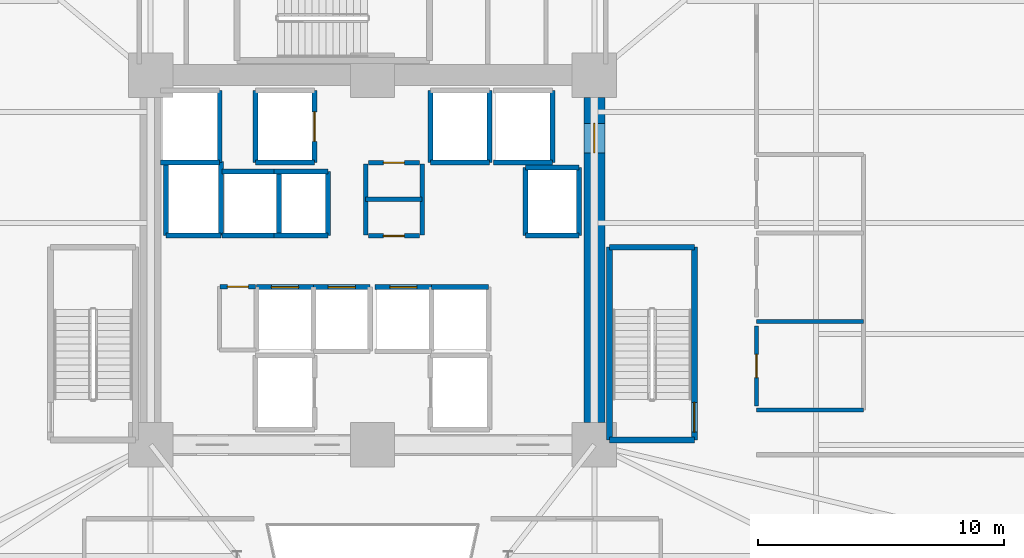
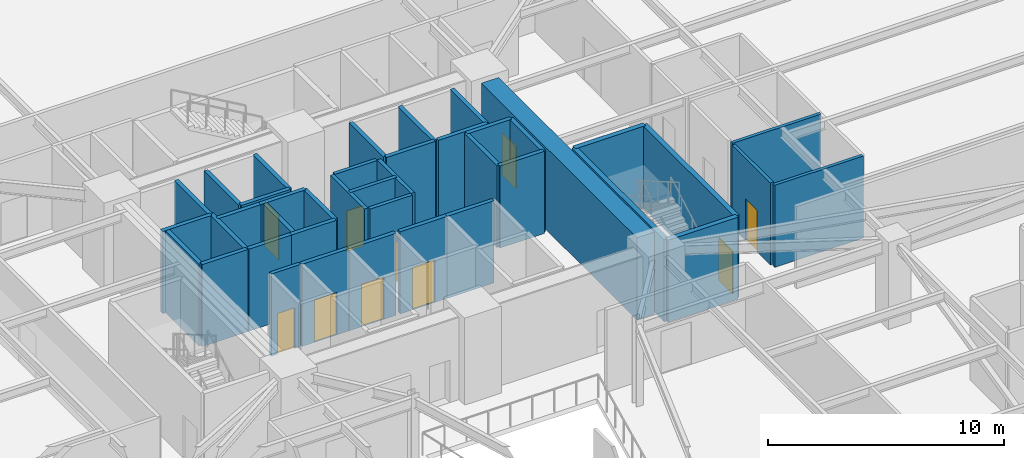
# One storey, part 7 of 16: 41 walls, 10 doors, 10 openings.
"""IFC4 building model written with IfcOpenShell, lengths in metres."""

from ifc_helpers import new_model, si_unit, direction, frame, frame_2d, origin, place, context, subcontext, project, spatial, rectangle, extrude, source, transform, mapped, material, layer, layer_set, type_object, element, fill, save


model = new_model("IFC4")

# Units and contexts
model_context = context("Model", 3, precision=1e-05, world=origin(), true_north=direction((0.0, 1.0)))
body_context = subcontext(model_context, "Body", "Model", "MODEL_VIEW")
ifc_project = project(units=[si_unit("LENGTHUNIT", "METRE"), si_unit("AREAUNIT", "SQUARE_METRE"), si_unit("VOLUMEUNIT", "CUBIC_METRE"), si_unit("PLANEANGLEUNIT", "RADIAN"), si_unit("MASSUNIT", "GRAM", prefix="KILO")], contexts=[model_context])

# Site, building, storey
site_placement = place(None, origin())
site = spatial("IfcSite", under=ifc_project, at=site_placement, CompositionType="ELEMENT")
building_placement = place(site_placement, origin())
building = spatial("IfcBuilding", under=site, at=building_placement, Name="Liaohun Quay Tower", CompositionType="ELEMENT")
storey_placement = place(building_placement, frame((0.0, 0.0, 14.39990234375)))
storey = spatial("IfcBuildingStorey", under=building, at=storey_placement, Name="L04", CompositionType="ELEMENT", Elevation=14.39990234375)

# Wall, opening, door
ifc_material_1 = material(Name="Concrete C60", Category="concrete")
ifc_layer_1 = layer(ifc_material_1, 0.85009765625, Name="Concrete C60", Category="concrete")
ifc_layer_set_1 = layer_set([ifc_layer_1], Name="Concrete C60")
wall_type_1 = type_object("IfcWallType", Name="WAL-COR-Z1", PredefinedType="SHEAR", material=ifc_layer_set_1)
wall_1_placement = place(storey_placement, frame((69.0, 60.60009765625, 0.0), z_axis=(0.0, 0.0, 1.0), x_axis=(0.0, -1.0, 0.0)))
wall_1 = element("IfcWall", 1, at=wall_1_placement, inside=storey, type_object=wall_type_1, Name="L04 Central Core Shear Wall E", PredefinedType="SHEAR", context=body_context, shape_type="SweptSolid", body=[
    extrude(rectangle(XDim=13.2001953125, YDim=0.85009765625, at=frame_2d((6.60009765625, 0.0))), origin(), (0.0, 0.0, 1.0), 4.25),
])
shared_shape_1 = source(origin(), body_context, "Body", "SweptSolid", [
    extrude(rectangle(XDim=1.199951171875, YDim=2.199951171875, at=frame_2d((0.60009765625, 1.10009765625))), frame((0.0, 0.43505859375, 0.0), z_axis=(0.0, -1.0, 0.0), x_axis=(1.0, 0.0, 0.0)), (0.0, 0.0, 1.0), 0.8701171875),
])
opening_1_placement = place(wall_1_placement, frame((1.050048828125, 0.0, 0.0)))
opening_1 = element("IfcOpeningElement", 2, at=opening_1_placement, cuts=wall_1, Name="Opening SD1", PredefinedType="OPENING", context=body_context, shape_type="MappedRepresentation", body=[
    mapped(shared_shape_1, transform((0.0, 0.0, 0.0), x_axis=(1.0, 0.0, 0.0), y_axis=(0.0, 1.0, 0.0), z_axis=(0.0, 0.0, 1.0), scale=1.0)),
])
ifc_material_2 = material(Name="Galvanised steel fire door", Category="steel")
door_type_1 = type_object("IfcDoorType", Name="DOR-STR-1200", OperationType="NOTDEFINED", PredefinedType="DOOR", material=ifc_material_2)
shared_shape_2 = source(origin(), body_context, "Body", "SweptSolid", [
    extrude(rectangle(XDim=1.199951171875, YDim=2.199951171875, at=frame_2d((0.60009765625, 1.10009765625))), frame((0.0, 0.02490234375, 0.0), z_axis=(0.0, -1.0, 0.0), x_axis=(1.0, 0.0, 0.0)), (0.0, 0.0, 1.0), 0.050048828125),
])
door_1_placement = place(opening_1_placement, origin())
door_1 = element("IfcDoor", 3, at=door_1_placement, inside=storey, type_object=door_type_1, Name="L04 North-East Core Lobby Smokeproof Door", OperationType="SINGLE_SWING_LEFT", OverallHeight=2.199951171875, OverallWidth=1.199951171875, PredefinedType="DOOR", context=body_context, shape_type="MappedRepresentation", body=[
    mapped(shared_shape_2, transform((0.0, 0.0, 0.0), x_axis=(1.0, 0.0, 0.0), y_axis=(0.0, 1.0, 0.0), z_axis=(0.0, 0.0, 1.0), scale=1.0)),
])
fill(opening_1, door_1)

ifc_material_3 = material(Name="Autoclaved aerated concrete blockwork", Category="masonry")
ifc_layer_2 = layer(ifc_material_3, 0.179931640625, Name="Autoclaved aerated concrete blockwork", Category="masonry")
ifc_layer_set_2 = layer_set([ifc_layer_2], Name="Autoclaved aerated concrete blockwork")
wall_type_2 = type_object("IfcWallType", Name="WAL-PRT-COR", PredefinedType="PARTITIONING", material=ifc_layer_set_2)
wall_2_placement = place(storey_placement, frame((59.840087890625, 54.97998046875, 0.0), z_axis=(0.0, 0.0, 1.0), x_axis=(1.0, 0.0, 0.0)))
wall_2 = element("IfcWall", 4, at=wall_2_placement, inside=storey, type_object=wall_type_2, Name="L04 Interior Partition Wall 001", PredefinedType="PARTITIONING", context=body_context, shape_type="SweptSolid", body=[
    extrude(rectangle(XDim=2.059814453125, YDim=0.179931640625, at=frame_2d((1.02978515625, 0.0))), origin(), (0.0, 0.0, 1.0), 4.25),
])
shared_shape_3 = source(origin(), body_context, "Body", "SweptSolid", [
    extrude(rectangle(XDim=0.85009765625, YDim=2.10009765625, at=frame_2d((0.425048828125, 1.050048828125))), frame((0.0, 0.099853515625, 0.0), z_axis=(0.0, -1.0, 0.0), x_axis=(1.0, 0.0, 0.0)), (0.0, 0.0, 1.0), 0.199951171875),
])
opening_2_placement = place(wall_2_placement, frame((0.60498046875, 0.0, 0.0)))
opening_2 = element("IfcOpeningElement", 5, at=opening_2_placement, cuts=wall_2, Name="Opening AD1", PredefinedType="OPENING", context=body_context, shape_type="MappedRepresentation", body=[
    mapped(shared_shape_3, transform((0.0, 0.0, 0.0), x_axis=(1.0, 0.0, 0.0), y_axis=(0.0, 1.0, 0.0), z_axis=(0.0, 0.0, 1.0), scale=1.0)),
])
ifc_material_4 = material(Name="Steel riser inspection fire door", Category="steel")
door_type_2 = type_object("IfcDoorType", Name="DOR-SHF-850", OperationType="NOTDEFINED", PredefinedType="DOOR", material=ifc_material_4)
shared_shape_4 = source(origin(), body_context, "Body", "SweptSolid", [
    extrude(rectangle(XDim=0.85009765625, YDim=2.10009765625, at=frame_2d((0.425048828125, 1.050048828125))), frame((0.0, 0.02490234375, 0.0), z_axis=(0.0, -1.0, 0.0), x_axis=(1.0, 0.0, 0.0)), (0.0, 0.0, 1.0), 0.050048828125),
])
door_2_placement = place(opening_2_placement, origin())
door_2 = element("IfcDoor", 6, at=door_2_placement, inside=storey, type_object=door_type_2, Name="L04 Electrical Riser Room Door", OperationType="SINGLE_SWING_RIGHT", OverallHeight=2.10009765625, OverallWidth=0.85009765625, PredefinedType="DOOR", context=body_context, shape_type="MappedRepresentation", body=[
    mapped(shared_shape_4, transform((0.0, 0.0, 0.0), x_axis=(1.0, 0.0, 0.0), y_axis=(0.0, 1.0, 0.0), z_axis=(0.0, 0.0, 1.0), scale=1.0)),
])
fill(opening_2, door_2)

wall_3_placement = place(storey_placement, frame((59.840087890625, 57.949951171875, 0.0), z_axis=(0.0, 0.0, 1.0), x_axis=(1.0, 0.0, 0.0)))
wall_3 = element("IfcWall", 7, at=wall_3_placement, inside=storey, type_object=wall_type_2, Name="L04 Interior Partition Wall 002", PredefinedType="PARTITIONING", context=body_context, shape_type="SweptSolid", body=[
    extrude(rectangle(XDim=2.059814453125, YDim=0.179931640625, at=frame_2d((1.02978515625, 0.0))), origin(), (0.0, 0.0, 1.0), 4.25),
])
opening_3_placement = place(wall_3_placement, frame((0.60498046875, 0.0, 0.0)))
opening_3 = element("IfcOpeningElement", 8, at=opening_3_placement, cuts=wall_3, Name="Opening AD1", PredefinedType="OPENING", context=body_context, shape_type="MappedRepresentation", body=[
    mapped(shared_shape_3, transform((0.0, 0.0, 0.0), x_axis=(1.0, 0.0, 0.0), y_axis=(0.0, 1.0, 0.0), z_axis=(0.0, 0.0, 1.0), scale=1.0)),
])
door_3_placement = place(opening_3_placement, origin())
door_3 = element("IfcDoor", 9, at=door_3_placement, inside=storey, type_object=door_type_2, Name="L04 Telecom Comms Closet Door", OperationType="SINGLE_SWING_LEFT", OverallHeight=2.10009765625, OverallWidth=0.85009765625, PredefinedType="DOOR", context=body_context, shape_type="MappedRepresentation", body=[
    mapped(shared_shape_4, transform((0.0, 0.0, 0.0), x_axis=(1.0, 0.0, 0.0), y_axis=(0.0, 1.0, 0.0), z_axis=(0.0, 0.0, 1.0), scale=1.0)),
])
fill(opening_3, door_3)

wall_4_placement = place(storey_placement, frame((53.820068359375, 52.919921875, 0.0), z_axis=(0.0, 0.0, 1.0), x_axis=(1.0, 0.0, 0.0)))
wall_4 = element("IfcWall", 10, at=wall_4_placement, inside=storey, type_object=wall_type_2, Name="L04 Interior Partition Wall 003", PredefinedType="PARTITIONING", context=body_context, shape_type="SweptSolid", body=[
    extrude(rectangle(XDim=1.429931640625, YDim=0.179931640625, at=frame_2d((0.71484375, 0.0))), origin(), (0.0, 0.0, 1.0), 4.25),
])
opening_4_placement = place(wall_4_placement, frame((0.2900390625, 0.0, 0.0)))
opening_4 = element("IfcOpeningElement", 11, at=opening_4_placement, cuts=wall_4, Name="Opening AD1", PredefinedType="OPENING", context=body_context, shape_type="MappedRepresentation", body=[
    mapped(shared_shape_3, transform((0.0, 0.0, 0.0), x_axis=(1.0, 0.0, 0.0), y_axis=(0.0, 1.0, 0.0), z_axis=(0.0, 0.0, 1.0), scale=1.0)),
])
door_4_placement = place(opening_4_placement, origin())
door_4 = element("IfcDoor", 12, at=door_4_placement, inside=storey, type_object=door_type_2, Name="L04 Core Fire Hose and Riser Closet Door", OperationType="SINGLE_SWING_RIGHT", OverallHeight=2.10009765625, OverallWidth=0.85009765625, PredefinedType="DOOR", context=body_context, shape_type="MappedRepresentation", body=[
    mapped(shared_shape_4, transform((0.0, 0.0, 0.0), x_axis=(1.0, 0.0, 0.0), y_axis=(0.0, 1.0, 0.0), z_axis=(0.0, 0.0, 1.0), scale=1.0)),
])
fill(opening_4, door_4)

# Walls
for number, where, z_axis, x_axis, name in (
    (13, (59.719970703125, 55.02001953125, 0.0), (0.0, 0.0, 1.0), (0.0, 1.0, 0.0), "L04 Interior Partition Wall 021"),
    (14, (62.010009765625, 55.02001953125, 0.0), (0.0, 0.0, 1.0), (0.0, 1.0, 0.0), "L04 Interior Partition Wall 022"),
):
    element("IfcWall", number, at=place(storey_placement, frame(where, z_axis=z_axis, x_axis=x_axis)), inside=storey, type_object=wall_type_2, Name=name, PredefinedType="PARTITIONING", context=body_context, shape_type="SweptSolid", body=[
        extrude(rectangle(XDim=2.8798828125, YDim=0.179931640625, at=frame_2d((1.43994140625, 0.0))), origin(), (0.0, 0.0, 1.0), 4.25),
    ])
wall_5_placement = place(storey_placement, frame((59.719970703125, 56.4599609375, 0.0), z_axis=(0.0, 0.0, 1.0), x_axis=(1.0, 0.0, 0.0)))
element("IfcWall", 15, at=wall_5_placement, inside=storey, type_object=wall_type_2, Name="L04 Interior Partition Wall 023", PredefinedType="PARTITIONING", context=body_context, shape_type="SweptSolid", body=[
    extrude(rectangle(XDim=2.2900390625, YDim=0.179931640625, at=frame_2d((1.14501953125, 0.0))), origin(), (0.0, 0.0, 1.0), 4.25),
])

# Wall, opening, door
ifc_material_5 = material(Name="Moisture-resistant masonry blockwork", Category="masonry")
ifc_layer_3 = layer(ifc_material_5, 0.159912109375, Name="Moisture-resistant masonry blockwork", Category="masonry")
ifc_layer_set_3 = layer_set([ifc_layer_3], Name="Moisture-resistant masonry blockwork")
wall_type_3 = type_object("IfcWallType", Name="WAL-PRT-WET", PredefinedType="PARTITIONING", material=ifc_layer_set_3)
wall_6_placement = place(storey_placement, frame((75.580078125, 48.080078125, 0.0), z_axis=(0.0, 0.0, 1.0), x_axis=(0.0, 1.0, 0.0)))
wall_6 = element("IfcWall", 16, at=wall_6_placement, inside=storey, type_object=wall_type_3, Name="L04 Interior Partition Wall 004", PredefinedType="PARTITIONING", context=body_context, shape_type="SweptSolid", body=[
    extrude(rectangle(XDim=3.239990234375, YDim=0.159912109375, at=frame_2d((1.6201171875, 0.0))), origin(), (0.0, 0.0, 1.0), 4.25),
])
shared_shape_5 = source(origin(), body_context, "Body", "SweptSolid", [
    extrude(rectangle(XDim=0.949951171875, YDim=2.14990234375, at=frame_2d((0.47509765625, 1.074951171875))), frame((0.0, 0.08984375, 0.0), z_axis=(0.0, -1.0, 0.0), x_axis=(1.0, 0.0, 0.0)), (0.0, 0.0, 1.0), 0.179931640625),
])
opening_5_placement = place(wall_6_placement, frame((1.14501953125, 0.0, 0.0)))
opening_5 = element("IfcOpeningElement", 17, at=opening_5_placement, cuts=wall_6, Name="Opening WD1", PredefinedType="OPENING", context=body_context, shape_type="MappedRepresentation", body=[
    mapped(shared_shape_5, transform((0.0, 0.0, 0.0), x_axis=(1.0, 0.0, 0.0), y_axis=(0.0, 1.0, 0.0), z_axis=(0.0, 0.0, 1.0), scale=1.0)),
])
ifc_material_6 = material(Name="Moisture-resistant laminate timber leaf", Category="wood")
door_type_3 = type_object("IfcDoorType", Name="DOR-WC-950", OperationType="NOTDEFINED", PredefinedType="DOOR", material=ifc_material_6)
shared_shape_6 = source(origin(), body_context, "Body", "SweptSolid", [
    extrude(rectangle(XDim=0.949951171875, YDim=2.14990234375, at=frame_2d((0.47509765625, 1.074951171875))), frame((0.0, 0.02490234375, 0.0), z_axis=(0.0, -1.0, 0.0), x_axis=(1.0, 0.0, 0.0)), (0.0, 0.0, 1.0), 0.050048828125),
])
door_5_placement = place(opening_5_placement, origin())
door_5 = element("IfcDoor", 18, at=door_5_placement, inside=storey, type_object=door_type_3, Name="L04 Podium Male Restroom WC Door", OperationType="SINGLE_SWING_LEFT", OverallHeight=2.14990234375, OverallWidth=0.949951171875, PredefinedType="DOOR", context=body_context, shape_type="MappedRepresentation", body=[
    mapped(shared_shape_6, transform((0.0, 0.0, 0.0), x_axis=(1.0, 0.0, 0.0), y_axis=(0.0, 1.0, 0.0), z_axis=(0.0, 0.0, 1.0), scale=1.0)),
])
fill(opening_5, door_5)

# Walls
for number, where, z_axis, x_axis, name in (
    (19, (75.580078125, 47.919921875, 0.0), (0.0, 0.0, 1.0), (1.0, 0.0, 0.0), "L04 Interior Partition Wall 027"),
    (20, (75.580078125, 51.5, 0.0), (0.0, 0.0, 1.0), (1.0, 0.0, 0.0), "L04 Interior Partition Wall 028"),
):
    element("IfcWall", number, at=place(storey_placement, frame(where, z_axis=z_axis, x_axis=x_axis)), inside=storey, type_object=wall_type_3, Name=name, PredefinedType="PARTITIONING", context=body_context, shape_type="SweptSolid", body=[
        extrude(rectangle(XDim=4.33984375, YDim=0.159912109375, at=frame_2d((2.169921875, 0.0))), origin(), (0.0, 0.0, 1.0), 4.25),
    ])
ifc_material_7 = material(Name="Concrete C50", Category="concrete")
ifc_layer_4 = layer(ifc_material_7, 0.239990234375, Name="Concrete C50", Category="concrete")
ifc_layer_set_4 = layer_set([ifc_layer_4], Name="Concrete C50")
wall_type_4 = type_object("IfcWallType", Name="WAL-SHF-200", PredefinedType="SOLIDWALL", material=ifc_layer_set_4)
wall_7_placement = place(storey_placement, frame((69.6201171875, 46.699951171875, 0.0), z_axis=(0.0, 0.0, 1.0), x_axis=(1.0, 0.0, 0.0)))
element("IfcWall", 21, at=wall_7_placement, inside=storey, type_object=wall_type_4, Name="L04 Stairwell ST-2 Structural Core Wall S", PredefinedType="SOLIDWALL", context=body_context, shape_type="SweptSolid", body=[
    extrude(rectangle(XDim=3.43994140625, YDim=0.239990234375, at=frame_2d((1.719970703125, 0.0))), origin(), (0.0, 0.0, 1.0), 4.25),
])

# Wall, opening, door
wall_8_placement = place(storey_placement, frame((73.06005859375, 46.699951171875, 0.0), z_axis=(0.0, 0.0, 1.0), x_axis=(0.0, 1.0, 0.0)))
wall_8 = element("IfcWall", 22, at=wall_8_placement, inside=storey, type_object=wall_type_4, Name="L04 Stairwell ST-2 Structural Core Wall E", PredefinedType="SOLIDWALL", context=body_context, shape_type="SweptSolid", body=[
    extrude(rectangle(XDim=7.820068359375, YDim=0.239990234375, at=frame_2d((3.91015625, 0.0))), origin(), (0.0, 0.0, 1.0), 4.25),
])
shared_shape_7 = source(origin(), body_context, "Body", "SweptSolid", [
    extrude(rectangle(XDim=1.199951171875, YDim=2.199951171875, at=frame_2d((0.60009765625, 1.10009765625))), frame((0.0, 0.1298828125, 0.0), z_axis=(0.0, -1.0, 0.0), x_axis=(1.0, 0.0, 0.0)), (0.0, 0.0, 1.0), 0.260009765625),
])
opening_6_placement = place(wall_8_placement, frame((0.320068359375, 0.0, 0.0)))
opening_6 = element("IfcOpeningElement", 23, at=opening_6_placement, cuts=wall_8, Name="Opening SD1", PredefinedType="OPENING", context=body_context, shape_type="MappedRepresentation", body=[
    mapped(shared_shape_7, transform((0.0, 0.0, 0.0), x_axis=(1.0, 0.0, 0.0), y_axis=(0.0, 1.0, 0.0), z_axis=(0.0, 0.0, 1.0), scale=1.0)),
])
door_6_placement = place(opening_6_placement, origin())
door_6 = element("IfcDoor", 24, at=door_6_placement, inside=storey, type_object=door_type_1, Name="L04 Protected Stair ST-2 Fire Door", OperationType="SINGLE_SWING_RIGHT", OverallHeight=2.199951171875, OverallWidth=1.199951171875, PredefinedType="DOOR", context=body_context, shape_type="MappedRepresentation", body=[
    mapped(shared_shape_2, transform((0.0, 0.0, 0.0), x_axis=(1.0, 0.0, 0.0), y_axis=(0.0, 1.0, 0.0), z_axis=(0.0, 0.0, 1.0), scale=1.0)),
])
fill(opening_6, door_6)

# Walls
wall_9_placement = place(storey_placement, frame((73.06005859375, 54.52001953125, 0.0), z_axis=(0.0, 0.0, 1.0), x_axis=(-1.0, 0.0, 0.0)))
element("IfcWall", 25, at=wall_9_placement, inside=storey, type_object=wall_type_4, Name="L04 Stairwell ST-2 Structural Core Wall N", PredefinedType="SOLIDWALL", context=body_context, shape_type="SweptSolid", body=[
    extrude(rectangle(XDim=3.43994140625, YDim=0.239990234375, at=frame_2d((1.719970703125, 0.0))), origin(), (0.0, 0.0, 1.0), 4.25),
])
wall_10_placement = place(storey_placement, frame((69.6201171875, 54.52001953125, 0.0), z_axis=(0.0, 0.0, 1.0), x_axis=(0.0, -1.0, 0.0)))
element("IfcWall", 26, at=wall_10_placement, inside=storey, type_object=wall_type_4, Name="L04 Stairwell ST-2 Structural Core Wall W", PredefinedType="SOLIDWALL", context=body_context, shape_type="SweptSolid", body=[
    extrude(rectangle(XDim=7.820068359375, YDim=0.239990234375, at=frame_2d((3.91015625, 0.0))), origin(), (0.0, 0.0, 1.0), 4.25),
])
wall_11_placement = place(storey_placement, frame((55.25, 57.949951171875, 0.0), z_axis=(0.0, 0.0, 1.0), x_axis=(1.0, 0.0, 0.0)))
element("IfcWall", 27, at=wall_11_placement, inside=storey, type_object=wall_type_4, Name="L04 Lift FF-03 Hoistway Wall S", PredefinedType="SOLIDWALL", context=body_context, shape_type="SweptSolid", body=[
    extrude(rectangle(XDim=2.39990234375, YDim=0.199951171875, at=frame_2d((1.199951171875, 0.0))), origin(), (0.0, 0.0, 1.0), 4.25),
])

# Wall, opening, door
wall_12_placement = place(storey_placement, frame((57.64990234375, 57.949951171875, 0.0), z_axis=(0.0, 0.0, 1.0), x_axis=(0.0, 1.0, 0.0)))
wall_12 = element("IfcWall", 28, at=wall_12_placement, inside=storey, type_object=wall_type_4, Name="L04 Lift FF-03 Hoistway Wall E", PredefinedType="SOLIDWALL", context=body_context, shape_type="SweptSolid", body=[
    extrude(rectangle(XDim=2.929931640625, YDim=0.199951171875, at=frame_2d((1.46484375, 0.0))), origin(), (0.0, 0.0, 1.0), 4.25),
])
shared_shape_8 = source(origin(), body_context, "Body", "SweptSolid", [
    extrude(rectangle(XDim=1.199951171875, YDim=2.300048828125, at=frame_2d((0.60009765625, 1.14990234375))), frame((0.0, 0.10986328125, 0.0), z_axis=(0.0, -1.0, 0.0), x_axis=(1.0, 0.0, 0.0)), (0.0, 0.0, 1.0), 0.219970703125),
])
opening_7_placement = place(wall_12_placement, frame((0.864990234375, 0.0, 0.0)))
opening_7 = element("IfcOpeningElement", 29, at=opening_7_placement, cuts=wall_12, Name="Opening LD2", PredefinedType="OPENING", context=body_context, shape_type="MappedRepresentation", body=[
    mapped(shared_shape_8, transform((0.0, 0.0, 0.0), x_axis=(1.0, 0.0, 0.0), y_axis=(0.0, 1.0, 0.0), z_axis=(0.0, 0.0, 1.0), scale=1.0)),
])
ifc_material_8 = material(Name="Brushed stainless steel stretcher landing door", Category="steel")
door_type_4 = type_object("IfcDoorType", Name="DOR-LFT-1200", OperationType="SLIDING_TO_LEFT", PredefinedType="DOOR", material=ifc_material_8)
shared_shape_9 = source(origin(), body_context, "Body", "SweptSolid", [
    extrude(rectangle(XDim=1.199951171875, YDim=2.300048828125, at=frame_2d((0.60009765625, 1.14990234375))), frame((0.0, 0.02490234375, 0.0), z_axis=(0.0, -1.0, 0.0), x_axis=(1.0, 0.0, 0.0)), (0.0, 0.0, 1.0), 0.050048828125),
])
door_7_placement = place(opening_7_placement, origin())
door_7 = element("IfcDoor", 30, at=door_7_placement, inside=storey, type_object=door_type_4, Name="L04 Lift FF-03 Sliding Landing Door", OperationType="SLIDING_TO_LEFT", OverallHeight=2.300048828125, OverallWidth=1.199951171875, PredefinedType="DOOR", context=body_context, shape_type="MappedRepresentation", body=[
    mapped(shared_shape_9, transform((0.0, 0.0, 0.0), x_axis=(1.0, 0.0, 0.0), y_axis=(0.0, 1.0, 0.0), z_axis=(0.0, 0.0, 1.0), scale=1.0)),
])
fill(opening_7, door_7)

# Walls
wall_13_placement = place(storey_placement, frame((55.25, 60.8798828125, 0.0), z_axis=(0.0, 0.0, 1.0), x_axis=(0.0, -1.0, 0.0)))
element("IfcWall", 31, at=wall_13_placement, inside=storey, type_object=wall_type_4, Name="L04 Lift FF-03 Hoistway Wall W", PredefinedType="SOLIDWALL", context=body_context, shape_type="SweptSolid", body=[
    extrude(rectangle(XDim=2.929931640625, YDim=0.199951171875, at=frame_2d((1.46484375, 0.0))), origin(), (0.0, 0.0, 1.0), 4.25),
])
wall_14_placement = place(storey_placement, frame((62.35009765625, 57.949951171875, 0.0), z_axis=(0.0, 0.0, 1.0), x_axis=(1.0, 0.0, 0.0)))
element("IfcWall", 32, at=wall_14_placement, inside=storey, type_object=wall_type_4, Name="L04 Lift OB-01 Hoistway Wall S", PredefinedType="SOLIDWALL", context=body_context, shape_type="SweptSolid", body=[
    extrude(rectangle(XDim=2.39990234375, YDim=0.199951171875, at=frame_2d((1.199951171875, 0.0))), origin(), (0.0, 0.0, 1.0), 4.25),
])
for number, where, z_axis, x_axis, name in (
    (33, (64.75, 57.949951171875, 0.0), (0.0, 0.0, 1.0), (0.0, 1.0, 0.0), "L04 Lift OB-01 Hoistway Wall E"),
    (34, (62.35009765625, 60.8798828125, 0.0), (0.0, 0.0, 1.0), (0.0, -1.0, 0.0), "L04 Lift OB-01 Hoistway Wall W"),
):
    element("IfcWall", number, at=place(storey_placement, frame(where, z_axis=z_axis, x_axis=x_axis)), inside=storey, type_object=wall_type_4, Name=name, PredefinedType="SOLIDWALL", context=body_context, shape_type="SweptSolid", body=[
        extrude(rectangle(XDim=2.929931640625, YDim=0.199951171875, at=frame_2d((1.46484375, 0.0))), origin(), (0.0, 0.0, 1.0), 4.25),
    ])
wall_15_placement = place(storey_placement, frame((64.89990234375, 57.949951171875, 0.0), z_axis=(0.0, 0.0, 1.0), x_axis=(1.0, 0.0, 0.0)))
element("IfcWall", 35, at=wall_15_placement, inside=storey, type_object=wall_type_4, Name="L04 Lift OB-02 Hoistway Wall S", PredefinedType="SOLIDWALL", context=body_context, shape_type="SweptSolid", body=[
    extrude(rectangle(XDim=2.400146484375, YDim=0.199951171875, at=frame_2d((1.2001953125, 0.0))), origin(), (0.0, 0.0, 1.0), 4.25),
])
wall_16_placement = place(storey_placement, frame((67.300048828125, 57.949951171875, 0.0), z_axis=(0.0, 0.0, 1.0), x_axis=(0.0, 1.0, 0.0)))
element("IfcWall", 36, at=wall_16_placement, inside=storey, type_object=wall_type_4, Name="L04 Lift OB-02 Hoistway Wall E", PredefinedType="SOLIDWALL", context=body_context, shape_type="SweptSolid", body=[
    extrude(rectangle(XDim=2.929931640625, YDim=0.199951171875, at=frame_2d((1.46484375, 0.0))), origin(), (0.0, 0.0, 1.0), 4.25),
])
wall_17_placement = place(storey_placement, frame((51.39990234375, 57.949951171875, 0.0), z_axis=(0.0, 0.0, 1.0), x_axis=(1.0, 0.0, 0.0)))
element("IfcWall", 37, at=wall_17_placement, inside=storey, type_object=wall_type_4, Name="L04 Lift SH-01 Hoistway Wall S", PredefinedType="SOLIDWALL", context=body_context, shape_type="SweptSolid", body=[
    extrude(rectangle(XDim=2.400146484375, YDim=0.199951171875, at=frame_2d((1.2001953125, 0.0))), origin(), (0.0, 0.0, 1.0), 4.25),
])
wall_18_placement = place(storey_placement, frame((53.800048828125, 57.949951171875, 0.0), z_axis=(0.0, 0.0, 1.0), x_axis=(0.0, 1.0, 0.0)))
element("IfcWall", 38, at=wall_18_placement, inside=storey, type_object=wall_type_4, Name="L04 Lift SH-01 Hoistway Wall E", PredefinedType="SOLIDWALL", context=body_context, shape_type="SweptSolid", body=[
    extrude(rectangle(XDim=2.929931640625, YDim=0.199951171875, at=frame_2d((1.46484375, 0.0))), origin(), (0.0, 0.0, 1.0), 4.25),
])
wall_19_placement = place(storey_placement, frame((51.6201171875, 55.0, 0.0), z_axis=(0.0, 0.0, 1.0), x_axis=(1.0, 0.0, 0.0)))
element("IfcWall", 39, at=wall_19_placement, inside=storey, type_object=wall_type_4, Name="L04 Lift SH-02 Hoistway Wall S", PredefinedType="SOLIDWALL", context=body_context, shape_type="SweptSolid", body=[
    extrude(rectangle(XDim=2.22998046875, YDim=0.199951171875, at=frame_2d((1.114990234375, 0.0))), origin(), (0.0, 0.0, 1.0), 4.25),
])
for number, where, z_axis, x_axis, name in (
    (40, (53.85009765625, 55.0, 0.0), (0.0, 0.0, 1.0), (0.0, 1.0, 0.0), "L04 Lift SH-02 Hoistway Wall E"),
    (41, (51.6201171875, 58.0, 0.0), (0.0, 0.0, 1.0), (0.0, -1.0, 0.0), "L04 Lift SH-02 Hoistway Wall W"),
):
    element("IfcWall", number, at=place(storey_placement, frame(where, z_axis=z_axis, x_axis=x_axis)), inside=storey, type_object=wall_type_4, Name=name, PredefinedType="SOLIDWALL", context=body_context, shape_type="SweptSolid", body=[
        extrude(rectangle(XDim=3.0, YDim=0.199951171875, at=frame_2d((1.5, 0.0))), origin(), (0.0, 0.0, 1.0), 4.25),
    ])
wall_20_placement = place(storey_placement, frame((66.199951171875, 55.0, 0.0), z_axis=(0.0, 0.0, 1.0), x_axis=(1.0, 0.0, 0.0)))
element("IfcWall", 42, at=wall_20_placement, inside=storey, type_object=wall_type_4, Name="L04 Lift SH-03 Hoistway Wall S", PredefinedType="SOLIDWALL", context=body_context, shape_type="SweptSolid", body=[
    extrude(rectangle(XDim=2.179931640625, YDim=0.199951171875, at=frame_2d((1.08984375, 0.0))), origin(), (0.0, 0.0, 1.0), 4.25),
])
wall_21_placement = place(storey_placement, frame((68.3798828125, 55.0, 0.0), z_axis=(0.0, 0.0, 1.0), x_axis=(0.0, 1.0, 0.0)))
element("IfcWall", 43, at=wall_21_placement, inside=storey, type_object=wall_type_4, Name="L04 Lift SH-03 Hoistway Wall E", PredefinedType="SOLIDWALL", context=body_context, shape_type="SweptSolid", body=[
    extrude(rectangle(XDim=2.75, YDim=0.199951171875, at=frame_2d((1.375, 0.0))), origin(), (0.0, 0.0, 1.0), 4.25),
])
wall_22_placement = place(storey_placement, frame((68.3798828125, 57.75, 0.0), z_axis=(0.0, 0.0, 1.0), x_axis=(-1.0, 0.0, 0.0)))
element("IfcWall", 44, at=wall_22_placement, inside=storey, type_object=wall_type_4, Name="L04 Lift SH-03 Hoistway Wall N", PredefinedType="SOLIDWALL", context=body_context, shape_type="SweptSolid", body=[
    extrude(rectangle(XDim=2.179931640625, YDim=0.199951171875, at=frame_2d((1.08984375, 0.0))), origin(), (0.0, 0.0, 1.0), 4.25),
])
wall_23_placement = place(storey_placement, frame((66.199951171875, 57.75, 0.0), z_axis=(0.0, 0.0, 1.0), x_axis=(0.0, -1.0, 0.0)))
element("IfcWall", 45, at=wall_23_placement, inside=storey, type_object=wall_type_4, Name="L04 Lift SH-03 Hoistway Wall W", PredefinedType="SOLIDWALL", context=body_context, shape_type="SweptSolid", body=[
    extrude(rectangle(XDim=2.75, YDim=0.199951171875, at=frame_2d((1.375, 0.0))), origin(), (0.0, 0.0, 1.0), 4.25),
])

# Wall, opening, door
wall_24_placement = place(storey_placement, frame((57.60009765625, 52.89990234375, 0.0), z_axis=(0.0, 0.0, 1.0), x_axis=(-1.0, 0.0, 0.0)))
wall_24 = element("IfcWall", 46, at=wall_24_placement, inside=storey, type_object=wall_type_4, Name="L04 Lift PL-1A Hoistway Wall N", PredefinedType="SOLIDWALL", context=body_context, shape_type="SweptSolid", body=[
    extrude(rectangle(XDim=2.300048828125, YDim=0.199951171875, at=frame_2d((1.14990234375, 0.0))), origin(), (0.0, 0.0, 1.0), 4.25),
])
shared_shape_10 = source(origin(), body_context, "Body", "SweptSolid", [
    extrude(rectangle(XDim=1.10009765625, YDim=2.199951171875, at=frame_2d((0.550048828125, 1.10009765625))), frame((0.0, 0.10986328125, 0.0), z_axis=(0.0, -1.0, 0.0), x_axis=(1.0, 0.0, 0.0)), (0.0, 0.0, 1.0), 0.219970703125),
])
opening_8_placement = place(wall_24_placement, frame((0.60009765625, 0.0, 0.0)))
opening_8 = element("IfcOpeningElement", 47, at=opening_8_placement, cuts=wall_24, Name="Opening LD1", PredefinedType="OPENING", context=body_context, shape_type="MappedRepresentation", body=[
    mapped(shared_shape_10, transform((0.0, 0.0, 0.0), x_axis=(1.0, 0.0, 0.0), y_axis=(0.0, 1.0, 0.0), z_axis=(0.0, 0.0, 1.0), scale=1.0)),
])
ifc_material_9 = material(Name="Brushed stainless steel landing door", Category="steel")
door_type_5 = type_object("IfcDoorType", Name="DOR-LFT-1100", OperationType="SLIDING_TO_LEFT", PredefinedType="DOOR", material=ifc_material_9)
shared_shape_11 = source(origin(), body_context, "Body", "SweptSolid", [
    extrude(rectangle(XDim=1.10009765625, YDim=2.199951171875, at=frame_2d((0.550048828125, 1.10009765625))), frame((0.0, 0.02490234375, 0.0), z_axis=(0.0, -1.0, 0.0), x_axis=(1.0, 0.0, 0.0)), (0.0, 0.0, 1.0), 0.050048828125),
])
door_8_placement = place(opening_8_placement, origin())
door_8 = element("IfcDoor", 48, at=door_8_placement, inside=storey, type_object=door_type_5, Name="L04 Lift PL-1A Sliding Landing Door", OperationType="SLIDING_TO_LEFT", OverallHeight=2.199951171875, OverallWidth=1.10009765625, PredefinedType="DOOR", context=body_context, shape_type="MappedRepresentation", body=[
    mapped(shared_shape_11, transform((0.0, 0.0, 0.0), x_axis=(1.0, 0.0, 0.0), y_axis=(0.0, 1.0, 0.0), z_axis=(0.0, 0.0, 1.0), scale=1.0)),
])
fill(opening_8, door_8)

wall_25_placement = place(storey_placement, frame((59.89990234375, 52.89990234375, 0.0), z_axis=(0.0, 0.0, 1.0), x_axis=(-1.0, 0.0, 0.0)))
wall_25 = element("IfcWall", 49, at=wall_25_placement, inside=storey, type_object=wall_type_4, Name="L04 Lift PL-1B Hoistway Wall N", PredefinedType="SOLIDWALL", context=body_context, shape_type="SweptSolid", body=[
    extrude(rectangle(XDim=2.2998046875, YDim=0.199951171875, at=frame_2d((1.14990234375, 0.0))), origin(), (0.0, 0.0, 1.0), 4.25),
])
opening_9_placement = place(wall_25_placement, frame((0.60009765625, 0.0, 0.0)))
opening_9 = element("IfcOpeningElement", 50, at=opening_9_placement, cuts=wall_25, Name="Opening LD1", PredefinedType="OPENING", context=body_context, shape_type="MappedRepresentation", body=[
    mapped(shared_shape_10, transform((0.0, 0.0, 0.0), x_axis=(1.0, 0.0, 0.0), y_axis=(0.0, 1.0, 0.0), z_axis=(0.0, 0.0, 1.0), scale=1.0)),
])
door_9_placement = place(opening_9_placement, origin())
door_9 = element("IfcDoor", 51, at=door_9_placement, inside=storey, type_object=door_type_5, Name="L04 Lift PL-1B Sliding Landing Door", OperationType="SLIDING_TO_LEFT", OverallHeight=2.199951171875, OverallWidth=1.10009765625, PredefinedType="DOOR", context=body_context, shape_type="MappedRepresentation", body=[
    mapped(shared_shape_11, transform((0.0, 0.0, 0.0), x_axis=(1.0, 0.0, 0.0), y_axis=(0.0, 1.0, 0.0), z_axis=(0.0, 0.0, 1.0), scale=1.0)),
])
fill(opening_9, door_9)

wall_26_placement = place(storey_placement, frame((62.39990234375, 52.89990234375, 0.0), z_axis=(0.0, 0.0, 1.0), x_axis=(-1.0, 0.0, 0.0)))
wall_26 = element("IfcWall", 52, at=wall_26_placement, inside=storey, type_object=wall_type_4, Name="L04 Lift PL-1C Hoistway Wall N", PredefinedType="SOLIDWALL", context=body_context, shape_type="SweptSolid", body=[
    extrude(rectangle(XDim=2.2998046875, YDim=0.199951171875, at=frame_2d((1.14990234375, 0.0))), origin(), (0.0, 0.0, 1.0), 4.25),
])
opening_10_placement = place(wall_26_placement, frame((0.60009765625, 0.0, 0.0)))
opening_10 = element("IfcOpeningElement", 53, at=opening_10_placement, cuts=wall_26, Name="Opening LD1", PredefinedType="OPENING", context=body_context, shape_type="MappedRepresentation", body=[
    mapped(shared_shape_10, transform((0.0, 0.0, 0.0), x_axis=(1.0, 0.0, 0.0), y_axis=(0.0, 1.0, 0.0), z_axis=(0.0, 0.0, 1.0), scale=1.0)),
])
door_10_placement = place(opening_10_placement, origin())
door_10 = element("IfcDoor", 54, at=door_10_placement, inside=storey, type_object=door_type_5, Name="L04 Lift PL-1C Sliding Landing Door", OperationType="SLIDING_TO_LEFT", OverallHeight=2.199951171875, OverallWidth=1.10009765625, PredefinedType="DOOR", context=body_context, shape_type="MappedRepresentation", body=[
    mapped(shared_shape_11, transform((0.0, 0.0, 0.0), x_axis=(1.0, 0.0, 0.0), y_axis=(0.0, 1.0, 0.0), z_axis=(0.0, 0.0, 1.0), scale=1.0)),
])
fill(opening_10, door_10)

# Walls
for number, where, z_axis, x_axis, name in (
    (55, (64.699951171875, 52.89990234375, 0.0), (0.0, 0.0, 1.0), (-1.0, 0.0, 0.0), "L04 Lift PL-2A Hoistway Wall N"),
    (56, (53.89990234375, 55.0, 0.0), (0.0, 0.0, 1.0), (1.0, 0.0, 0.0), "L04 Lift PL-2B Hoistway Wall S"),
):
    element("IfcWall", number, at=place(storey_placement, frame(where, z_axis=z_axis, x_axis=x_axis)), inside=storey, type_object=wall_type_4, Name=name, PredefinedType="SOLIDWALL", context=body_context, shape_type="SweptSolid", body=[
        extrude(rectangle(XDim=2.300048828125, YDim=0.199951171875, at=frame_2d((1.14990234375, 0.0))), origin(), (0.0, 0.0, 1.0), 4.25),
    ])
wall_27_placement = place(storey_placement, frame((56.199951171875, 55.0, 0.0), z_axis=(0.0, 0.0, 1.0), x_axis=(0.0, 1.0, 0.0)))
element("IfcWall", 57, at=wall_27_placement, inside=storey, type_object=wall_type_4, Name="L04 Lift PL-2B Hoistway Wall E", PredefinedType="SOLIDWALL", context=body_context, shape_type="SweptSolid", body=[
    extrude(rectangle(XDim=2.60009765625, YDim=0.199951171875, at=frame_2d((1.300048828125, 0.0))), origin(), (0.0, 0.0, 1.0), 4.25),
])
wall_28_placement = place(storey_placement, frame((56.199951171875, 57.60009765625, 0.0), z_axis=(0.0, 0.0, 1.0), x_axis=(-1.0, 0.0, 0.0)))
element("IfcWall", 58, at=wall_28_placement, inside=storey, type_object=wall_type_4, Name="L04 Lift PL-2B Hoistway Wall N", PredefinedType="SOLIDWALL", context=body_context, shape_type="SweptSolid", body=[
    extrude(rectangle(XDim=2.300048828125, YDim=0.199951171875, at=frame_2d((1.14990234375, 0.0))), origin(), (0.0, 0.0, 1.0), 4.25),
])
wall_29_placement = place(storey_placement, frame((56.0, 55.0, 0.0), z_axis=(0.0, 0.0, 1.0), x_axis=(1.0, 0.0, 0.0)))
element("IfcWall", 59, at=wall_29_placement, inside=storey, type_object=wall_type_4, Name="L04 Lift PL-2C Hoistway Wall S", PredefinedType="SOLIDWALL", context=body_context, shape_type="SweptSolid", body=[
    extrude(rectangle(XDim=2.199951171875, YDim=0.199951171875, at=frame_2d((1.10009765625, 0.0))), origin(), (0.0, 0.0, 1.0), 4.25),
])
wall_30_placement = place(storey_placement, frame((58.199951171875, 55.0, 0.0), z_axis=(0.0, 0.0, 1.0), x_axis=(0.0, 1.0, 0.0)))
element("IfcWall", 60, at=wall_30_placement, inside=storey, type_object=wall_type_4, Name="L04 Lift PL-2C Hoistway Wall E", PredefinedType="SOLIDWALL", context=body_context, shape_type="SweptSolid", body=[
    extrude(rectangle(XDim=2.60009765625, YDim=0.199951171875, at=frame_2d((1.300048828125, 0.0))), origin(), (0.0, 0.0, 1.0), 4.25),
])
wall_31_placement = place(storey_placement, frame((58.199951171875, 57.60009765625, 0.0), z_axis=(0.0, 0.0, 1.0), x_axis=(-1.0, 0.0, 0.0)))
element("IfcWall", 61, at=wall_31_placement, inside=storey, type_object=wall_type_4, Name="L04 Lift PL-2C Hoistway Wall N", PredefinedType="SOLIDWALL", context=body_context, shape_type="SweptSolid", body=[
    extrude(rectangle(XDim=2.199951171875, YDim=0.199951171875, at=frame_2d((1.10009765625, 0.0))), origin(), (0.0, 0.0, 1.0), 4.25),
])

save(model, "model.ifc")
